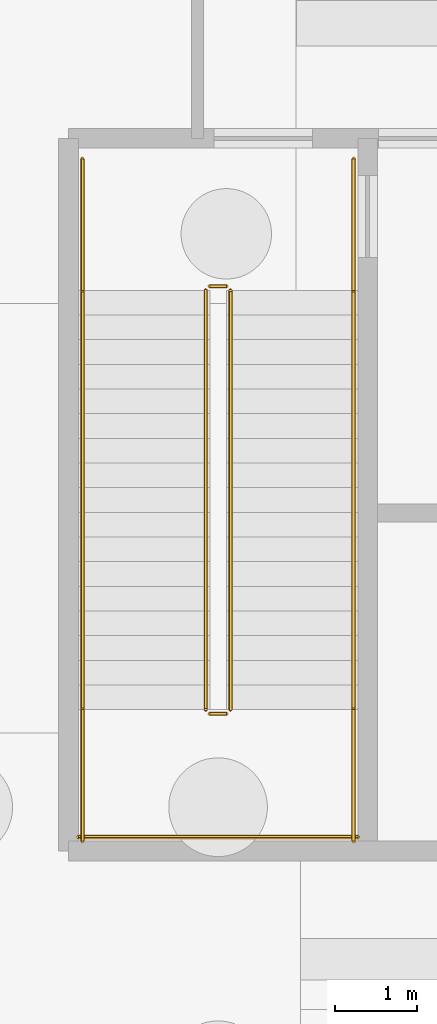
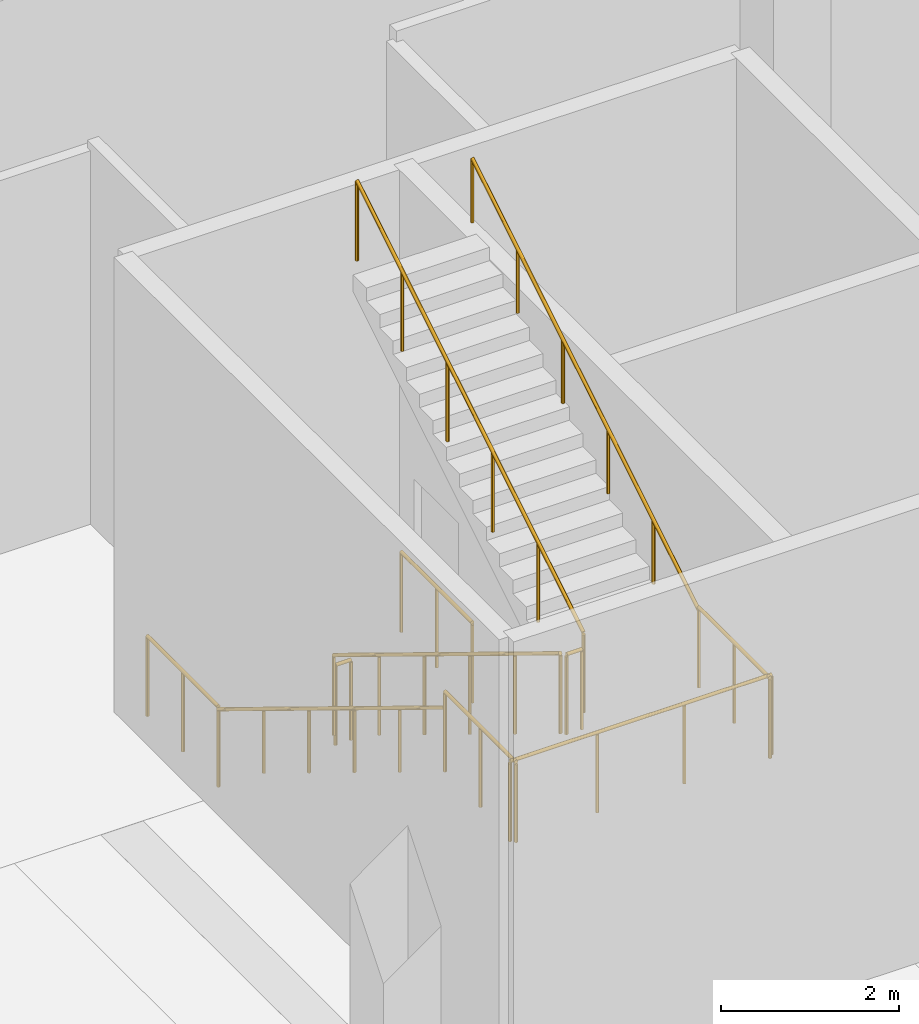
# One storey, part 101 of 117: 11 railings.
"""IFC4 building model written with IfcOpenShell, lengths in metres."""

from ifc_helpers import new_model, si_unit, direction, frame, origin, origin_2d, place, context, subcontext, project, spatial, circle, extrude, material, type_object, element, save


model = new_model("IFC4")

# Units and contexts
model_context = context("Model", 3, precision=1e-05, world=origin(), true_north=direction((0.0, 1.0)))
body_context = subcontext(model_context, "Body", "Model", "MODEL_VIEW")
ifc_project = project(units=[si_unit("LENGTHUNIT", "METRE"), si_unit("AREAUNIT", "SQUARE_METRE"), si_unit("VOLUMEUNIT", "CUBIC_METRE"), si_unit("PLANEANGLEUNIT", "RADIAN"), si_unit("MASSUNIT", "GRAM", prefix="KILO")], contexts=[model_context])

# Site, building, storey
site_placement = place(None, origin())
site = spatial("IfcSite", under=ifc_project, at=site_placement, CompositionType="ELEMENT")
building_placement = place(site_placement, origin())
building = spatial("IfcBuilding", under=site, at=building_placement, Name="Kamomehara Wholesale Market", CompositionType="ELEMENT")
storey_placement = place(building_placement, origin())
storey = spatial("IfcBuildingStorey", under=building, at=storey_placement, Name="L00", CompositionType="ELEMENT", Elevation=0.0)

# Railings
ifc_material_1 = material(Name="Steel SN400B", Category="steel")
railing_type_1 = type_object("IfcRailingType", Name="RAL-HND-900", PredefinedType="HANDRAIL", material=ifc_material_1)
railing_1_placement = place(storey_placement, frame((74.75, 32.75, 0.183349609375)))
element("IfcRailing", 1, at=railing_1_placement, inside=storey, type_object=railing_type_1, Name="L00 ST-05 stair handrail 1", PredefinedType="HANDRAIL", context=body_context, shape_type="SweptSolid", body=[
    extrude(circle(Radius=0.02392578125, at=origin_2d()), frame((0.0, 0.0, 0.8759765625), z_axis=(0.0, -0.853283853024, 0.521446705012), x_axis=(1.0, 0.0, 0.0)), (0.0, 0.0, 1.0), 5.97705078125),
    extrude(circle(Radius=0.02099609375, at=origin_2d()), origin(), (0.0, 0.0, 1.0), 0.851806640625),
    extrude(circle(Radius=0.02099609375, at=origin_2d()), frame((0.0, -1.02001953125, 0.623291015625)), (0.0, 0.0, 1.0), 0.851806640625),
    extrude(circle(Radius=0.02099609375, at=origin_2d()), frame((0.0, -2.0400390625, 1.24658203125)), (0.0, 0.0, 1.0), 0.851806640625),
    extrude(circle(Radius=0.02099609375, at=origin_2d()), frame((0.0, -3.06005859375, 1.8701171875)), (0.0, 0.0, 1.0), 0.851806640625),
    extrude(circle(Radius=0.02099609375, at=origin_2d()), frame((0.0, -4.080078125, 2.493408203125)), (0.0, 0.0, 1.0), 0.851806640625),
    extrude(circle(Radius=0.02099609375, at=origin_2d()), frame((0.0, -5.10009765625, 3.11669921875)), (0.0, 0.0, 1.0), 0.851806640625),
])
railing_2_placement = place(storey_placement, frame((78.050048828125, 27.64990234375, 3.4833984375)))
element("IfcRailing", 2, at=railing_2_placement, inside=storey, type_object=railing_type_1, Name="L00 ST-05 stair handrail 2", PredefinedType="HANDRAIL", context=body_context, shape_type="SweptSolid", body=[
    extrude(circle(Radius=0.02392578125, at=origin_2d()), frame((0.0, 0.0, 0.8759765625), z_axis=(0.0, 0.853283853024, 0.521446705012), x_axis=(-1.0, 0.0, 0.0)), (0.0, 0.0, 1.0), 5.97705078125),
    extrude(circle(Radius=0.02099609375, at=origin_2d()), origin(), (0.0, 0.0, 1.0), 0.851806640625),
    extrude(circle(Radius=0.02099609375, at=origin_2d()), frame((0.0, 1.02001953125, 0.623291015625)), (0.0, 0.0, 1.0), 0.851806640625),
    extrude(circle(Radius=0.02099609375, at=origin_2d()), frame((0.0, 2.0400390625, 1.24658203125)), (0.0, 0.0, 1.0), 0.851806640625),
    extrude(circle(Radius=0.02099609375, at=origin_2d()), frame((0.0, 3.06005859375, 1.8701171875)), (0.0, 0.0, 1.0), 0.851806640625),
    extrude(circle(Radius=0.02099609375, at=origin_2d()), frame((0.0, 4.080078125, 2.493408203125)), (0.0, 0.0, 1.0), 0.851806640625),
    extrude(circle(Radius=0.02099609375, at=origin_2d()), frame((0.0, 5.10009765625, 3.11669921875)), (0.0, 0.0, 1.0), 0.851806640625),
])
ifc_material_2 = material(Name="Steel SN400B", Category="steel")
railing_type_2 = type_object("IfcRailingType", Name="RAL-INT-1100", PredefinedType="BALUSTRADE", material=ifc_material_2)
railing_3_placement = place(storey_placement, frame((76.25, 32.75, 0.183349609375)))
element("IfcRailing", 3, at=railing_3_placement, inside=storey, type_object=railing_type_2, Name="L00 ST-05 stair guard 1", PredefinedType="BALUSTRADE", context=body_context, shape_type="SweptSolid", body=[
    extrude(circle(Radius=0.02392578125, at=origin_2d()), frame((0.0, 0.0, 1.09619140625), z_axis=(0.0, -0.853283853024, 0.521446705012), x_axis=(1.0, 0.0, 0.0)), (0.0, 0.0, 1.0), 5.97705078125),
    extrude(circle(Radius=0.02099609375, at=origin_2d()), origin(), (0.0, 0.0, 1.0), 1.072021484375),
    extrude(circle(Radius=0.02099609375, at=origin_2d()), frame((0.0, -1.02001953125, 0.623291015625)), (0.0, 0.0, 1.0), 1.072021484375),
    extrude(circle(Radius=0.02099609375, at=origin_2d()), frame((0.0, -2.0400390625, 1.24658203125)), (0.0, 0.0, 1.0), 1.072021484375),
    extrude(circle(Radius=0.02099609375, at=origin_2d()), frame((0.0, -3.06005859375, 1.8701171875)), (0.0, 0.0, 1.0), 1.072021484375),
    extrude(circle(Radius=0.02099609375, at=origin_2d()), frame((0.0, -4.080078125, 2.493408203125)), (0.0, 0.0, 1.0), 1.072021484375),
    extrude(circle(Radius=0.02099609375, at=origin_2d()), frame((0.0, -5.10009765625, 3.11669921875)), (0.0, 0.0, 1.0), 1.072021484375),
])
railing_4_placement = place(storey_placement, frame((76.300048828125, 27.60009765625, 3.300048828125)))
element("IfcRailing", 4, at=railing_4_placement, inside=storey, type_object=railing_type_2, Name="L00 ST-05 stair guard 2", PredefinedType="BALUSTRADE", context=body_context, shape_type="SweptSolid", body=[
    extrude(circle(Radius=0.02392578125, at=origin_2d()), frame((0.0, 0.0, 1.09619140625), z_axis=(1.0, 0.0, 0.0), x_axis=(0.0, 1.0, 0.0)), (0.0, 0.0, 1.0), 0.199951171875),
    extrude(circle(Radius=0.02099609375, at=origin_2d()), origin(), (0.0, 0.0, 1.0), 1.072021484375),
    extrude(circle(Radius=0.02099609375, at=origin_2d()), frame((0.199951171875, 0.0, 0.0)), (0.0, 0.0, 1.0), 1.072021484375),
])
for number, where, name in (
    (5, (74.75, 27.64990234375, 3.300048828125), "L00 ST-05 stair guard 3"),
    (6, (78.050048828125, 27.64990234375, 3.300048828125), "L00 ST-05 stair guard 4"),
):
    element("IfcRailing", number, at=place(storey_placement, frame(where)), inside=storey, type_object=railing_type_2, Name=name, PredefinedType="BALUSTRADE", context=body_context, shape_type="SweptSolid", body=[
        extrude(circle(Radius=0.02392578125, at=origin_2d()), frame((0.0, 0.0, 1.09619140625), z_axis=(0.0, -1.0, 0.0), x_axis=(1.0, 0.0, 0.0)), (0.0, 0.0, 1.0), 1.599853515625),
        extrude(circle(Radius=0.02099609375, at=origin_2d()), origin(), (0.0, 0.0, 1.0), 1.072021484375),
        extrude(circle(Radius=0.02099609375, at=origin_2d()), frame((0.0, -0.7998046875, 0.0)), (0.0, 0.0, 1.0), 1.072021484375),
        extrude(circle(Radius=0.02099609375, at=origin_2d()), frame((0.0, -1.599853515625, 0.0)), (0.0, 0.0, 1.0), 1.072021484375),
    ])
railing_5_placement = place(storey_placement, frame((74.699951171875, 26.10009765625, 3.300048828125)))
element("IfcRailing", 7, at=railing_5_placement, inside=storey, type_object=railing_type_2, Name="L00 ST-05 stair guard 5", PredefinedType="BALUSTRADE", context=body_context, shape_type="SweptSolid", body=[
    extrude(circle(Radius=0.02392578125, at=origin_2d()), frame((0.0, 0.0, 1.09619140625), z_axis=(1.0, 0.0, 0.0), x_axis=(0.0, 1.0, 0.0)), (0.0, 0.0, 1.0), 3.400146484375),
    extrude(circle(Radius=0.02099609375, at=origin_2d()), origin(), (0.0, 0.0, 1.0), 1.072021484375),
    extrude(circle(Radius=0.02099609375, at=origin_2d()), frame((1.13330078125, 0.0, 0.0)), (0.0, 0.0, 1.0), 1.072021484375),
    extrude(circle(Radius=0.02099609375, at=origin_2d()), frame((2.266845703125, 0.0, 0.0)), (0.0, 0.0, 1.0), 1.072021484375),
    extrude(circle(Radius=0.02099609375, at=origin_2d()), frame((3.400146484375, 0.0, 0.0)), (0.0, 0.0, 1.0), 1.072021484375),
])
railing_6_placement = place(storey_placement, frame((76.550048828125, 27.64990234375, 3.4833984375)))
element("IfcRailing", 8, at=railing_6_placement, inside=storey, type_object=railing_type_2, Name="L00 ST-05 stair guard 6", PredefinedType="BALUSTRADE", context=body_context, shape_type="SweptSolid", body=[
    extrude(circle(Radius=0.02392578125, at=origin_2d()), frame((0.0, 0.0, 1.09619140625), z_axis=(0.0, 0.853283853024, 0.521446705012), x_axis=(-1.0, 0.0, 0.0)), (0.0, 0.0, 1.0), 5.97705078125),
    extrude(circle(Radius=0.02099609375, at=origin_2d()), origin(), (0.0, 0.0, 1.0), 1.072021484375),
    extrude(circle(Radius=0.02099609375, at=origin_2d()), frame((0.0, 1.02001953125, 0.623291015625)), (0.0, 0.0, 1.0), 1.072021484375),
    extrude(circle(Radius=0.02099609375, at=origin_2d()), frame((0.0, 2.0400390625, 1.24658203125)), (0.0, 0.0, 1.0), 1.072021484375),
    extrude(circle(Radius=0.02099609375, at=origin_2d()), frame((0.0, 3.06005859375, 1.8701171875)), (0.0, 0.0, 1.0), 1.072021484375),
    extrude(circle(Radius=0.02099609375, at=origin_2d()), frame((0.0, 4.080078125, 2.493408203125)), (0.0, 0.0, 1.0), 1.072021484375),
    extrude(circle(Radius=0.02099609375, at=origin_2d()), frame((0.0, 5.10009765625, 3.11669921875)), (0.0, 0.0, 1.0), 1.072021484375),
])
railing_7_placement = place(storey_placement, frame((76.300048828125, 32.800048828125, 0.0)))
element("IfcRailing", 9, at=railing_7_placement, inside=storey, type_object=railing_type_2, Name="L00 ST-05 stair guard 7", PredefinedType="BALUSTRADE", context=body_context, shape_type="SweptSolid", body=[
    extrude(circle(Radius=0.02392578125, at=origin_2d()), frame((0.0, 0.0, 1.09619140625), z_axis=(1.0, 0.0, 0.0), x_axis=(0.0, 1.0, 0.0)), (0.0, 0.0, 1.0), 0.199951171875),
    extrude(circle(Radius=0.02099609375, at=origin_2d()), origin(), (0.0, 0.0, 1.0), 1.072021484375),
    extrude(circle(Radius=0.02099609375, at=origin_2d()), frame((0.199951171875, 0.0, 0.0)), (0.0, 0.0, 1.0), 1.072021484375),
])
for number, where, name in (
    (10, (74.75, 34.35009765625, 0.0), "L00 ST-05 stair guard 8"),
    (11, (78.050048828125, 34.35009765625, 0.0), "L00 ST-05 stair guard 9"),
):
    element("IfcRailing", number, at=place(storey_placement, frame(where)), inside=storey, type_object=railing_type_2, Name=name, PredefinedType="BALUSTRADE", context=body_context, shape_type="SweptSolid", body=[
        extrude(circle(Radius=0.02392578125, at=origin_2d()), frame((0.0, 0.0, 1.09619140625), z_axis=(0.0, -1.0, 0.0), x_axis=(1.0, 0.0, 0.0)), (0.0, 0.0, 1.0), 1.60009765625),
        extrude(circle(Radius=0.02099609375, at=origin_2d()), origin(), (0.0, 0.0, 1.0), 1.072021484375),
        extrude(circle(Radius=0.02099609375, at=origin_2d()), frame((0.0, -0.800048828125, 0.0)), (0.0, 0.0, 1.0), 1.072021484375),
        extrude(circle(Radius=0.02099609375, at=origin_2d()), frame((0.0, -1.60009765625, 0.0)), (0.0, 0.0, 1.0), 1.072021484375),
    ])

save(model, "model.ifc")
